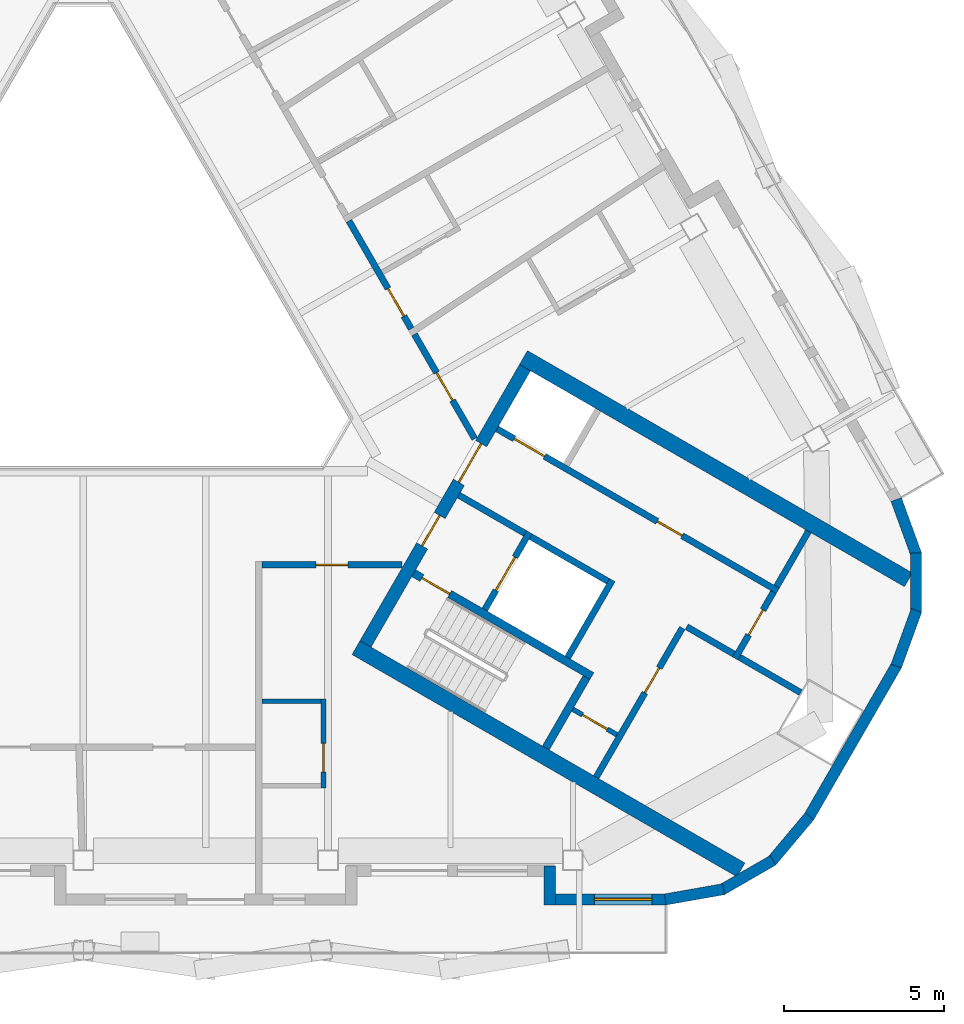
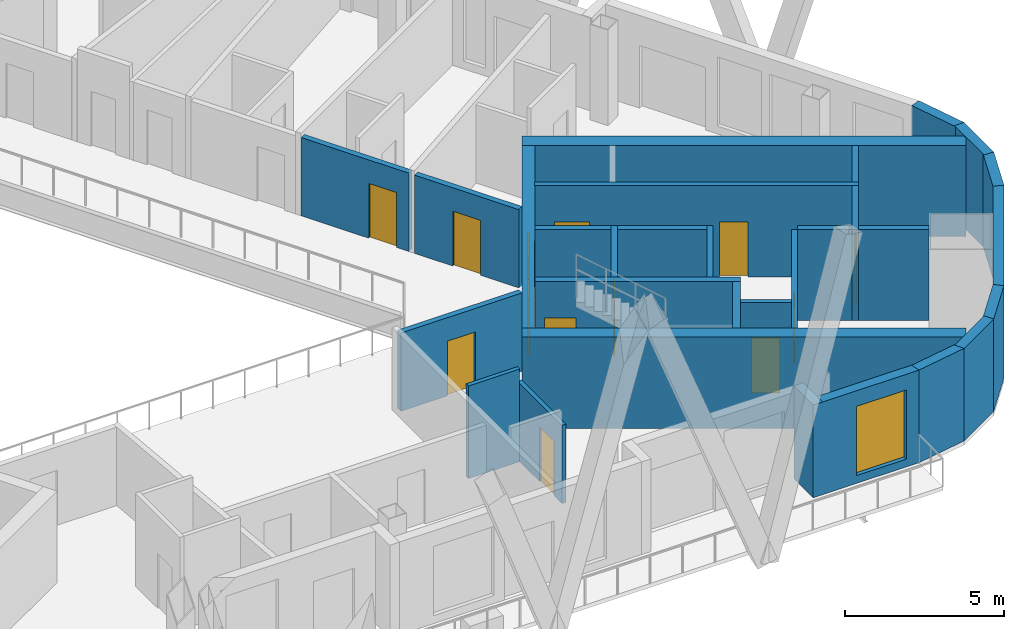
# One storey, part 5 of 14: 30 walls, 13 doors, 1 window, 14 openings.
"""IFC4 building model written with IfcOpenShell, lengths in metres."""

from ifc_helpers import new_model, si_unit, direction, frame, frame_2d, origin, place, context, subcontext, project, spatial, rectangle, extrude, material, layer, layer_set, type_object, element, fill, save


model = new_model("IFC4")

# Units and contexts
model_context = context("Model", 3, precision=1e-05, world=origin(), true_north=direction((0.0, 1.0)))
body_context = subcontext(model_context, "Body", "Model", "MODEL_VIEW")
ifc_project = project(units=[si_unit("LENGTHUNIT", "METRE"), si_unit("AREAUNIT", "SQUARE_METRE"), si_unit("VOLUMEUNIT", "CUBIC_METRE"), si_unit("PLANEANGLEUNIT", "RADIAN"), si_unit("MASSUNIT", "GRAM", prefix="KILO")], contexts=[model_context])

# Site, building, storey
site_placement = place(None, origin())
site = spatial("IfcSite", under=ifc_project, at=site_placement, CompositionType="ELEMENT")
building_placement = place(site_placement, origin())
building = spatial("IfcBuilding", under=site, at=building_placement, Name="Apuvela Tower Hotel", CompositionType="ELEMENT")
storey_placement = place(building_placement, frame((0.0, 0.0, 257.800048828125)))
storey = spatial("IfcBuildingStorey", under=building, at=storey_placement, Name="L63", CompositionType="ELEMENT", Elevation=257.800048828125)

# Wall, openings, doors
ifc_material_1 = material(Name="Concrete C50/60", Category="concrete")
ifc_layer_1 = layer(ifc_material_1, 0.39990234375)
ifc_layer_set_1 = layer_set([ifc_layer_1], Name="COR-WALL-CORE-400")
wall_type_1 = type_object("IfcWallType", Name="COR-WALL-CORE-400", PredefinedType="SHEAR", material=ifc_layer_set_1)
wall_1_placement = place(storey_placement, frame((8.844970703125, -10.880126953125, 0.0), z_axis=(0.0, 0.0, 1.0), x_axis=(0.500004234368, 0.866022959057, 0.0)))
wall_1 = element("IfcWall", 1, at=wall_1_placement, inside=storey, type_object=wall_type_1, Name="Core wall SE", PredefinedType="SHEAR", context=body_context, shape_type="SweptSolid", body=[
    extrude(rectangle(XDim=10.0, YDim=0.39990234375, at=frame_2d((5.0, 0.0))), origin(), (0.0, 0.0, 1.0), 3.5),
])
opening_1_placement = place(wall_1_placement, frame((3.550048828125, 0.0, 0.0)))
opening_1 = element("IfcOpeningElement", 2, at=opening_1_placement, cuts=wall_1, Name="Opening E-FD", PredefinedType="OPENING", context=body_context, shape_type="SweptSolid", body=[
    extrude(rectangle(XDim=1.10009765625, YDim=2.10009765625, at=frame_2d((0.550048828125, 1.050048828125))), frame((0.0, 0.2099609375, 0.0), z_axis=(0.0, -1.0, 0.0), x_axis=(1.0, 0.0, 0.0)), (0.0, 0.0, 1.0), 0.419921875),
])
opening_2_placement = place(wall_1_placement, frame((5.85009765625, 0.0, 0.0)))
opening_2 = element("IfcOpeningElement", 3, at=opening_2_placement, cuts=wall_1, Name="Opening E-GD", PredefinedType="OPENING", context=body_context, shape_type="SweptSolid", body=[
    extrude(rectangle(XDim=1.39990234375, YDim=2.10009765625, at=frame_2d((0.699951171875, 1.050048828125))), frame((0.0, 0.2099609375, 0.0), z_axis=(0.0, -1.0, 0.0), x_axis=(1.0, 0.0, 0.0)), (0.0, 0.0, 1.0), 0.419921875),
])
ifc_material_2 = material(Name="Steel fire door, powder coated", Category="steel")
door_type_1 = type_object("IfcDoorType", Name="COR-FD-1100", OperationType="NOTDEFINED", PredefinedType="DOOR", material=ifc_material_2)
door_1_placement = place(opening_1_placement, frame((1.10009765625, 0.0, 0.0), z_axis=(0.0, 0.0, 1.0), x_axis=(-1.0, 0.0, 0.0)))
door_1 = element("IfcDoor", 4, at=door_1_placement, inside=storey, type_object=door_type_1, Name="Firefighting lobby door E-FD", OperationType="SINGLE_SWING_LEFT", OverallHeight=2.10009765625, OverallWidth=1.10009765625, PredefinedType="DOOR", context=body_context, shape_type="SweptSolid", body=[
    extrude(rectangle(XDim=1.10009765625, YDim=2.10009765625, at=frame_2d((0.550048828125, 1.050048828125))), frame((0.0, 0.02490234375, 0.0), z_axis=(0.0, -1.0, 0.0), x_axis=(1.0, 0.0, 0.0)), (0.0, 0.0, 1.0), 0.050048828125),
])
fill(opening_1, door_1)
ifc_material_3 = material(Name="Glazed steel fire door", Category="steel")
door_type_2 = type_object("IfcDoorType", Name="COR-GD-1400", OperationType="DOUBLE_DOOR_SINGLE_SWING", PredefinedType="DOOR", material=ifc_material_3)
door_2_placement = place(opening_2_placement, frame((1.39990234375, 0.0, 0.0), z_axis=(0.0, 0.0, 1.0), x_axis=(-1.0, 0.0, 0.0)))
door_2 = element("IfcDoor", 5, at=door_2_placement, inside=storey, type_object=door_type_2, Name="Lift lobby door E-GD", OperationType="DOUBLE_DOOR_SINGLE_SWING", OverallHeight=2.10009765625, OverallWidth=1.39990234375, PredefinedType="DOOR", context=body_context, shape_type="SweptSolid", body=[
    extrude(rectangle(XDim=1.39990234375, YDim=2.10009765625, at=frame_2d((0.699951171875, 1.050048828125))), frame((0.0, 0.02490234375, 0.0), z_axis=(0.0, -1.0, 0.0), x_axis=(1.0, 0.0, 0.0)), (0.0, 0.0, 1.0), 0.050048828125),
])
fill(opening_2, door_2)

# Walls
ifc_layer_2 = layer(ifc_material_1, 0.5)
ifc_layer_set_2 = layer_set([ifc_layer_2], Name="COR-WALL-CORE-500")
wall_type_2 = type_object("IfcWallType", Name="COR-WALL-CORE-500", PredefinedType="SHEAR", material=ifc_layer_set_2)
for number, where, z_axis, x_axis, name in (
    (6, (8.546630859375, -10.99658203125, 0.0), (0.0, 0.0, 1.0), (0.86602744543, -0.49999646375, 0.0), "Core wall SE"),
    (7, (13.796630859375, -1.9033203125, 0.0), (0.0, 0.0, 1.0), (0.86602744543, -0.49999646375, 0.0), "Core wall SE"),
):
    element("IfcWall", number, at=place(storey_placement, frame(where, z_axis=z_axis, x_axis=x_axis)), inside=storey, type_object=wall_type_2, Name=name, PredefinedType="SHEAR", context=body_context, shape_type="SweptSolid", body=[
        extrude(rectangle(XDim=13.93408203125, YDim=0.5, at=frame_2d((6.967041015625, 0.0))), origin(), (0.0, 0.0, 1.0), 3.5),
    ])

# Wall, opening, door
ifc_material_4 = material(Name="Blockwork 150 mm plastered", Category="masonry")
ifc_layer_3 = layer(ifc_material_4, 0.14990234375)
ifc_layer_set_3 = layer_set([ifc_layer_3], Name="COR-WALL-PART-150")
wall_type_3 = type_object("IfcWallType", Name="COR-WALL-PART-150", PredefinedType="PARTITIONING", material=ifc_layer_set_3)
wall_2_placement = place(storey_placement, frame((15.341552734375, -12.927734375, 0.0), z_axis=(0.0, 0.0, 1.0), x_axis=(0.865989903783, -0.500061482766, 0.0)))
wall_2 = element("IfcWall", 8, at=wall_2_placement, inside=storey, type_object=wall_type_3, Name="Partition SE", PredefinedType="PARTITIONING", context=body_context, shape_type="SweptSolid", body=[
    extrude(rectangle(XDim=1.599853515625, YDim=0.14990234375, at=frame_2d((0.7998046875, 0.0))), origin(), (0.0, 0.0, 1.0), 3.5),
])
opening_3_placement = place(wall_2_placement, frame((0.35009765625, 0.0, 0.0)))
opening_3 = element("IfcOpeningElement", 9, at=opening_3_placement, cuts=wall_2, Name="Opening E-RD", PredefinedType="OPENING", context=body_context, shape_type="SweptSolid", body=[
    extrude(rectangle(XDim=0.89990234375, YDim=2.10009765625, at=frame_2d((0.449951171875, 1.050048828125))), frame((0.0, 0.0849609375, 0.0), z_axis=(0.0, -1.0, 0.0), x_axis=(1.0, 0.0, 0.0)), (0.0, 0.0, 1.0), 0.169921875),
])
ifc_material_5 = material(Name="Steel access door, powder coated", Category="steel")
door_type_3 = type_object("IfcDoorType", Name="COR-RD-900", OperationType="NOTDEFINED", PredefinedType="DOOR", material=ifc_material_5)
door_3_placement = place(opening_3_placement, frame((0.89990234375, 0.0, 0.0), z_axis=(0.0, 0.0, 1.0), x_axis=(-1.0, 0.0, 0.0)))
door_3 = element("IfcDoor", 10, at=door_3_placement, inside=storey, type_object=door_type_3, Name="Riser door E-RD", OperationType="SINGLE_SWING_LEFT", OverallHeight=2.10009765625, OverallWidth=0.89990234375, PredefinedType="DOOR", context=body_context, shape_type="SweptSolid", body=[
    extrude(rectangle(XDim=0.89990234375, YDim=2.10009765625, at=frame_2d((0.449951171875, 1.050048828125))), frame((0.0, 0.02490234375, 0.0), z_axis=(0.0, -1.0, 0.0), x_axis=(1.0, 0.0, 0.0)), (0.0, 0.0, 1.0), 0.050048828125),
])
fill(opening_3, door_3)

ifc_material_6 = material(Name="Blockwork 200 mm plastered", Category="masonry")
ifc_layer_4 = layer(ifc_material_6, 0.199951171875)
ifc_layer_set_4 = layer_set([ifc_layer_4], Name="COR-WALL-PART-200")
wall_type_4 = type_object("IfcWallType", Name="COR-WALL-PART-200", PredefinedType="PARTITIONING", material=ifc_layer_set_4)
wall_3_placement = place(storey_placement, frame((16.076171875, -15.05517578125, 0.0), z_axis=(0.0, 0.0, 1.0), x_axis=(0.499995103361, 0.866028230842, 0.0)))
wall_3 = element("IfcWall", 11, at=wall_3_placement, inside=storey, type_object=wall_type_4, Name="Partition SE", PredefinedType="PARTITIONING", context=body_context, shape_type="SweptSolid", body=[
    extrude(rectangle(XDim=5.39990234375, YDim=0.199951171875, at=frame_2d((2.699951171875, 0.0))), origin(), (0.0, 0.0, 1.0), 3.5),
])
opening_4_placement = place(wall_3_placement, frame((3.050048828125, 0.0, 0.0)))
opening_4 = element("IfcOpeningElement", 12, at=opening_4_placement, cuts=wall_3, Name="Opening E-RS1", PredefinedType="OPENING", context=body_context, shape_type="SweptSolid", body=[
    extrude(rectangle(XDim=0.89990234375, YDim=2.10009765625, at=frame_2d((0.449951171875, 1.050048828125))), frame((0.0, 0.10986328125, 0.0), z_axis=(0.0, -1.0, 0.0), x_axis=(1.0, 0.0, 0.0)), (0.0, 0.0, 1.0), 0.219970703125),
])
door_type_4 = type_object("IfcDoorType", Name="COR-DR-900", OperationType="NOTDEFINED", PredefinedType="DOOR", material=ifc_material_2)
door_4_placement = place(opening_4_placement, frame((0.89990234375, 0.0, 0.0), z_axis=(0.0, 0.0, 1.0), x_axis=(-1.0, 0.0, 0.0)))
door_4 = element("IfcDoor", 13, at=door_4_placement, inside=storey, type_object=door_type_4, Name="Store door E-RS1", OperationType="SINGLE_SWING_LEFT", OverallHeight=2.10009765625, OverallWidth=0.89990234375, PredefinedType="DOOR", context=body_context, shape_type="SweptSolid", body=[
    extrude(rectangle(XDim=0.89990234375, YDim=2.10009765625, at=frame_2d((0.449951171875, 1.050048828125))), frame((0.0, 0.02490234375, 0.0), z_axis=(0.0, -1.0, 0.0), x_axis=(1.0, 0.0, 0.0)), (0.0, 0.0, 1.0), 0.050048828125),
])
fill(opening_4, door_4)

# Wall
ifc_layer_5 = layer(ifc_material_1, 0.199951171875)
ifc_layer_set_5 = layer_set([ifc_layer_5], Name="COR-WALL-SHAFT-200")
wall_type_5 = type_object("IfcWallType", Name="COR-WALL-SHAFT-200", PredefinedType="SHEAR", material=ifc_layer_set_5)
wall_4_placement = place(storey_placement, frame((15.181396484375, -11.305419921875, 0.0), z_axis=(0.0, 0.0, 1.0), x_axis=(0.49994636267, 0.866056369097, 0.0)))
element("IfcWall", 14, at=wall_4_placement, inside=storey, type_object=wall_type_5, Name="Shaft wall SE", PredefinedType="SHEAR", context=body_context, shape_type="SweptSolid", body=[
    extrude(rectangle(XDim=2.800048828125, YDim=0.199951171875, at=frame_2d((1.39990234375, 0.0))), origin(), (0.0, 0.0, 1.0), 3.5),
])

# Wall, opening, door
wall_5_placement = place(storey_placement, frame((12.583251953125, -9.805419921875, 0.0), z_axis=(0.0, 0.0, 1.0), x_axis=(0.49994636267, 0.866056369097, 0.0)))
wall_5 = element("IfcWall", 15, at=wall_5_placement, inside=storey, type_object=wall_type_5, Name="Shaft wall SE", PredefinedType="SHEAR", context=body_context, shape_type="SweptSolid", body=[
    extrude(rectangle(XDim=2.800048828125, YDim=0.199951171875, at=frame_2d((1.39990234375, 0.0))), origin(), (0.0, 0.0, 1.0), 3.5),
])
opening_5_placement = place(wall_5_placement, frame((0.699951171875, 0.0, 0.0)))
opening_5 = element("IfcOpeningElement", 16, at=opening_5_placement, cuts=wall_5, Name="Opening E-LD-FS3", PredefinedType="OPENING", context=body_context, shape_type="SweptSolid", body=[
    extrude(rectangle(XDim=1.199951171875, YDim=2.10009765625, at=frame_2d((0.60009765625, 1.050048828125))), frame((0.0, 0.10986328125, 0.0), z_axis=(0.0, -1.0, 0.0), x_axis=(1.0, 0.0, 0.0)), (0.0, 0.0, 1.0), 0.219970703125),
])
ifc_material_7 = material(Name="Stainless steel lift landing door", Category="steel")
door_type_5 = type_object("IfcDoorType", Name="COR-LD-1200", OperationType="DOUBLE_DOOR_SLIDING", PredefinedType="DOOR", material=ifc_material_7)
door_5_placement = place(opening_5_placement, origin())
door_5 = element("IfcDoor", 17, at=door_5_placement, inside=storey, type_object=door_type_5, Name="Lift landing door E-LD-FS3", OperationType="DOUBLE_DOOR_SLIDING", OverallHeight=2.10009765625, OverallWidth=1.199951171875, PredefinedType="DOOR", context=body_context, shape_type="SweptSolid", body=[
    extrude(rectangle(XDim=1.199951171875, YDim=2.10009765625, at=frame_2d((0.60009765625, 1.050048828125))), frame((0.0, 0.02490234375, 0.0), z_axis=(0.0, -1.0, 0.0), x_axis=(1.0, 0.0, 0.0)), (0.0, 0.0, 1.0), 0.050048828125),
])
fill(opening_5, door_5)

# Walls
wall_6_placement = place(storey_placement, frame((11.76806640625, -6.217041015625, 0.0), z_axis=(0.0, 0.0, 1.0), x_axis=(0.866050077142, -0.499957262057, 0.0)))
element("IfcWall", 18, at=wall_6_placement, inside=storey, type_object=wall_type_5, Name="Shaft wall SE", PredefinedType="SHEAR", context=body_context, shape_type="SweptSolid", body=[
    extrude(rectangle(XDim=2.400146484375, YDim=0.199951171875, at=frame_2d((1.2001953125, 0.0))), origin(), (0.0, 0.0, 1.0), 3.5),
])
wall_7_placement = place(storey_placement, frame((14.019775390625, -7.51708984375, 0.0), z_axis=(0.0, 0.0, 1.0), x_axis=(0.866034573852, -0.49998411664, 0.0)))
element("IfcWall", 19, at=wall_7_placement, inside=storey, type_object=wall_type_5, Name="Shaft wall SE", PredefinedType="SHEAR", context=body_context, shape_type="SweptSolid", body=[
    extrude(rectangle(XDim=2.7998046875, YDim=0.199951171875, at=frame_2d((1.39990234375, 0.0))), origin(), (0.0, 0.0, 1.0), 3.5),
])

# Wall, openings, doors
wall_8_placement = place(storey_placement, frame((12.968017578125, -4.138427734375, 0.0), z_axis=(0.0, 0.0, 1.0), x_axis=(0.866028328073, -0.49999493495, 0.0)))
wall_8 = element("IfcWall", 20, at=wall_8_placement, inside=storey, type_object=wall_type_5, Name="Shaft wall SE", PredefinedType="SHEAR", context=body_context, shape_type="SweptSolid", body=[
    extrude(rectangle(XDim=10.16015625, YDim=0.199951171875, at=frame_2d((5.080078125, 0.0))), origin(), (0.0, 0.0, 1.0), 3.5),
])
opening_6_placement = place(wall_8_placement, frame((0.6201171875, 0.0, 0.0)))
opening_6 = element("IfcOpeningElement", 21, at=opening_6_placement, cuts=wall_8, Name="Opening E-LD-HR3", PredefinedType="OPENING", context=body_context, shape_type="SweptSolid", body=[
    extrude(rectangle(XDim=1.10009765625, YDim=2.10009765625, at=frame_2d((0.550048828125, 1.050048828125))), frame((0.0, 0.10986328125, 0.0), z_axis=(0.0, -1.0, 0.0), x_axis=(1.0, 0.0, 0.0)), (0.0, 0.0, 1.0), 0.219970703125),
])
opening_7_placement = place(wall_8_placement, frame((5.800048828125, 0.0, 0.0)))
opening_7 = element("IfcOpeningElement", 22, at=opening_7_placement, cuts=wall_8, Name="Opening E-RE2", PredefinedType="OPENING", context=body_context, shape_type="SweptSolid", body=[
    extrude(rectangle(XDim=0.89990234375, YDim=2.10009765625, at=frame_2d((0.449951171875, 1.050048828125))), frame((0.0, 0.10986328125, 0.0), z_axis=(0.0, -1.0, 0.0), x_axis=(1.0, 0.0, 0.0)), (0.0, 0.0, 1.0), 0.219970703125),
])
door_6_placement = place(opening_7_placement, origin())
door_6 = element("IfcDoor", 23, at=door_6_placement, inside=storey, type_object=door_type_4, Name="Store door E-RE2", OperationType="SINGLE_SWING_LEFT", OverallHeight=2.10009765625, OverallWidth=0.89990234375, PredefinedType="DOOR", context=body_context, shape_type="SweptSolid", body=[
    extrude(rectangle(XDim=0.89990234375, YDim=2.10009765625, at=frame_2d((0.449951171875, 1.050048828125))), frame((0.0, 0.02490234375, 0.0), z_axis=(0.0, -1.0, 0.0), x_axis=(1.0, 0.0, 0.0)), (0.0, 0.0, 1.0), 0.050048828125),
])
fill(opening_7, door_6)
door_type_6 = type_object("IfcDoorType", Name="COR-LD-1100", OperationType="DOUBLE_DOOR_SLIDING", PredefinedType="DOOR", material=ifc_material_7)
door_7_placement = place(opening_6_placement, origin())
door_7 = element("IfcDoor", 24, at=door_7_placement, inside=storey, type_object=door_type_6, Name="Lift landing door E-LD-HR3", OperationType="DOUBLE_DOOR_SLIDING", OverallHeight=2.10009765625, OverallWidth=1.10009765625, PredefinedType="DOOR", context=body_context, shape_type="SweptSolid", body=[
    extrude(rectangle(XDim=1.10009765625, YDim=2.10009765625, at=frame_2d((0.550048828125, 1.050048828125))), frame((0.0, 0.02490234375, 0.0), z_axis=(0.0, -1.0, 0.0), x_axis=(1.0, 0.0, 0.0)), (0.0, 0.0, 1.0), 0.050048828125),
])
fill(opening_6, door_7)

# Wall, opening, door
wall_9_placement = place(storey_placement, frame((20.430419921875, -11.33349609375, 0.0), z_axis=(0.0, 0.0, 1.0), x_axis=(0.500001309137, 0.866024647952, 0.0)))
wall_9 = element("IfcWall", 25, at=wall_9_placement, inside=storey, type_object=wall_type_5, Name="Shaft wall SE", PredefinedType="SHEAR", context=body_context, shape_type="SweptSolid", body=[
    extrude(rectangle(XDim=2.39990234375, YDim=0.199951171875, at=frame_2d((1.199951171875, 0.0))), origin(), (0.0, 0.0, 1.0), 3.5),
])
opening_8_placement = place(wall_9_placement, frame((0.85009765625, 0.0, 0.0)))
opening_8 = element("IfcOpeningElement", 26, at=opening_8_placement, cuts=wall_9, Name="Opening E-REP", PredefinedType="OPENING", context=body_context, shape_type="SweptSolid", body=[
    extrude(rectangle(XDim=0.89990234375, YDim=2.10009765625, at=frame_2d((0.449951171875, 1.050048828125))), frame((0.0, 0.10986328125, 0.0), z_axis=(0.0, -1.0, 0.0), x_axis=(1.0, 0.0, 0.0)), (0.0, 0.0, 1.0), 0.219970703125),
])
door_8_placement = place(opening_8_placement, frame((0.89990234375, 0.0, 0.0), z_axis=(0.0, 0.0, 1.0), x_axis=(-1.0, 0.0, 0.0)))
door_8 = element("IfcDoor", 27, at=door_8_placement, inside=storey, type_object=door_type_4, Name="Store door E-REP", OperationType="SINGLE_SWING_RIGHT", OverallHeight=2.10009765625, OverallWidth=0.89990234375, PredefinedType="DOOR", context=body_context, shape_type="SweptSolid", body=[
    extrude(rectangle(XDim=0.89990234375, YDim=2.10009765625, at=frame_2d((0.449951171875, 1.050048828125))), frame((0.0, 0.02490234375, 0.0), z_axis=(0.0, -1.0, 0.0), x_axis=(1.0, 0.0, 0.0)), (0.0, 0.0, 1.0), 0.050048828125),
])
fill(opening_8, door_8)

# Walls
wall_10_placement = place(storey_placement, frame((18.912841796875, -10.342041015625, 0.0), z_axis=(0.0, 0.0, 1.0), x_axis=(0.866038183914, -0.499977863513, 0.0)))
element("IfcWall", 28, at=wall_10_placement, inside=storey, type_object=wall_type_5, Name="Shaft wall SE", PredefinedType="SHEAR", context=body_context, shape_type="SweptSolid", body=[
    extrude(rectangle(XDim=1.7099609375, YDim=0.199951171875, at=frame_2d((0.85498046875, 0.0))), origin(), (0.0, 0.0, 1.0), 3.5),
])
wall_11_placement = place(storey_placement, frame((21.73046875, -9.081787109375, 0.0), z_axis=(0.0, 0.0, 1.0), x_axis=(0.50002537861, 0.866010750942, 0.0)))
element("IfcWall", 29, at=wall_11_placement, inside=storey, type_object=wall_type_5, Name="Shaft wall SE", PredefinedType="SHEAR", context=body_context, shape_type="SweptSolid", body=[
    extrude(rectangle(XDim=2.0, YDim=0.199951171875, at=frame_2d((1.0, 0.0))), origin(), (0.0, 0.0, 1.0), 3.5),
])
wall_12_placement = place(storey_placement, frame((20.56689453125, -11.297119140625, 0.0), z_axis=(0.0, 0.0, 1.0), x_axis=(0.866079196458, -0.49990681678, 0.0)))
element("IfcWall", 30, at=wall_12_placement, inside=storey, type_object=wall_type_5, Name="Shaft wall SE", PredefinedType="SHEAR", context=body_context, shape_type="SweptSolid", body=[
    extrude(rectangle(XDim=2.21630859375, YDim=0.199951171875, at=frame_2d((1.108154296875, 0.0))), origin(), (0.0, 0.0, 1.0), 3.5),
])

# Wall, opening, door
ifc_layer_6 = layer(ifc_material_1, 0.25)
ifc_layer_set_6 = layer_set([ifc_layer_6], Name="COR-WALL-STAIR-250")
wall_type_6 = type_object("IfcWallType", Name="COR-WALL-STAIR-250", PredefinedType="SHEAR", material=ifc_layer_set_6)
wall_13_placement = place(storey_placement, frame((10.355712890625, -8.66357421875, 0.0), z_axis=(0.0, 0.0, 1.0), x_axis=(0.866028629588, -0.499994412703, 0.0)))
wall_13 = element("IfcWall", 31, at=wall_13_placement, inside=storey, type_object=wall_type_6, Name="Stair wall SE", PredefinedType="SHEAR", context=body_context, shape_type="SweptSolid", body=[
    extrude(rectangle(XDim=6.44970703125, YDim=0.25, at=frame_2d((3.224853515625, 0.0))), origin(), (0.0, 0.0, 1.0), 3.5),
])
opening_9_placement = place(wall_13_placement, frame((0.300048828125, 0.0, 0.0)))
opening_9 = element("IfcOpeningElement", 32, at=opening_9_placement, cuts=wall_13, Name="Opening E-SD", PredefinedType="OPENING", context=body_context, shape_type="SweptSolid", body=[
    extrude(rectangle(XDim=1.0, YDim=2.10009765625, at=frame_2d((0.5, 1.050048828125))), frame((0.0, 0.135009765625, 0.0), z_axis=(0.0, -1.0, 0.0), x_axis=(1.0, 0.0, 0.0)), (0.0, 0.0, 1.0), 0.27001953125),
])
door_type_7 = type_object("IfcDoorType", Name="COR-SD-1000", OperationType="NOTDEFINED", PredefinedType="DOOR", material=ifc_material_2)
door_9_placement = place(opening_9_placement, frame((1.0, 0.0, 0.0), z_axis=(0.0, 0.0, 1.0), x_axis=(-1.0, 0.0, 0.0)))
door_9 = element("IfcDoor", 33, at=door_9_placement, inside=storey, type_object=door_type_7, Name="Stair door E-SD", OperationType="SINGLE_SWING_LEFT", OverallHeight=2.10009765625, OverallWidth=1.0, PredefinedType="DOOR", context=body_context, shape_type="SweptSolid", body=[
    extrude(rectangle(XDim=1.0, YDim=2.10009765625, at=frame_2d((0.5, 1.050048828125))), frame((0.0, 0.02490234375, 0.0), z_axis=(0.0, -1.0, 0.0), x_axis=(1.0, 0.0, 0.0)), (0.0, 0.0, 1.0), 0.050048828125),
])
fill(opening_9, door_9)

# Walls
wall_14_placement = place(storey_placement, frame((14.49560546875, -14.142578125, 0.0), z_axis=(0.0, 0.0, 1.0), x_axis=(0.500062241894, 0.865989465428, 0.0)))
element("IfcWall", 34, at=wall_14_placement, inside=storey, type_object=wall_type_6, Name="Stair wall SE", PredefinedType="SHEAR", context=body_context, shape_type="SweptSolid", body=[
    extrude(rectangle(XDim=2.550048828125, YDim=0.25, at=frame_2d((1.27490234375, 0.0))), origin(), (0.0, 0.0, 1.0), 3.5),
])
ifc_material_8 = material(Name="Concrete C40/50, dark pigmented precast panel", Category="concrete")
ifc_layer_7 = layer(ifc_material_8, 0.35009765625)
ifc_layer_set_7 = layer_set([ifc_layer_7], Name="ENV-WALL-350")
wall_type_7 = type_object("IfcWallType", Name="ENV-WALL-350", PredefinedType="SOLIDWALL", material=ifc_layer_set_7)
wall_15_placement = place(storey_placement, frame((14.618408203125, -17.843017578125, 0.0), z_axis=(0.0, 0.0, 1.0), x_axis=(0.0, -1.0, 0.0)))
element("IfcWall", 35, at=wall_15_placement, inside=storey, type_object=wall_type_7, Name="External wall L63-24", PredefinedType="SOLIDWALL", context=body_context, shape_type="SweptSolid", body=[
    extrude(rectangle(XDim=1.219970703125, YDim=0.35009765625, at=frame_2d((0.60986328125, 0.0))), origin(), (0.0, 0.0, 1.0), 3.550048828125),
])

# Wall, opening, window
wall_16_placement = place(storey_placement, frame((14.443603515625, -18.887939453125, 0.0), z_axis=(0.0, 0.0, 1.0), x_axis=(1.0, 0.0, 0.0)))
wall_16 = element("IfcWall", 36, at=wall_16_placement, inside=storey, type_object=wall_type_7, Name="External wall L63-25", PredefinedType="SOLIDWALL", context=body_context, shape_type="SweptSolid", body=[
    extrude(rectangle(XDim=3.82861328125, YDim=0.35009765625, at=frame_2d((1.914306640625, 0.0))), origin(), (0.0, 0.0, 1.0), 3.550048828125),
])
opening_10_placement = place(wall_16_placement, frame((1.575439453125, 0.0, 0.300048828125)))
opening_10 = element("IfcOpeningElement", 37, at=opening_10_placement, cuts=wall_16, Name="Opening WN18", PredefinedType="OPENING", context=body_context, shape_type="SweptSolid", body=[
    extrude(rectangle(XDim=1.800048828125, YDim=2.64990234375, at=frame_2d((0.89990234375, 1.324951171875))), frame((0.0, 0.18505859375, 0.0), z_axis=(0.0, -1.0, 0.0), x_axis=(1.0, 0.0, 0.0)), (0.0, 0.0, 1.0), 0.3701171875),
])
ifc_material_9 = material(Name="Glass, dark tinted laminated insulated glazing unit", Category="glass")
window_type = type_object("IfcWindowType", Name="ENV-WIN-1800x2650", PartitioningType="SINGLE_PANEL", PredefinedType="WINDOW", material=ifc_material_9)
window_placement = place(opening_10_placement, origin())
window = element("IfcWindow", 38, at=window_placement, inside=storey, type_object=window_type, Name="Window WN18", OverallHeight=2.64990234375, OverallWidth=1.800048828125, PartitioningType="SINGLE_PANEL", PredefinedType="WINDOW", context=body_context, shape_type="SweptSolid", body=[
    extrude(rectangle(XDim=1.800048828125, YDim=2.64990234375, at=frame_2d((0.89990234375, 1.324951171875))), frame((0.0, 0.030029296875, 0.0), z_axis=(0.0, -1.0, 0.0), x_axis=(1.0, 0.0, 0.0)), (0.0, 0.0, 1.0), 0.06005859375),
])
fill(opening_10, window)

# Walls
wall_17_placement = place(storey_placement, frame((18.241943359375, -18.890625, 0.0), z_axis=(0.0, 0.0, 1.0), x_axis=(0.984791508075, 0.173740282098, 0.0)))
element("IfcWall", 39, at=wall_17_placement, inside=storey, type_object=wall_type_7, Name="External wall L63-26", PredefinedType="SOLIDWALL", context=body_context, shape_type="SweptSolid", body=[
    extrude(rectangle(XDim=1.85498046875, YDim=0.35009765625, at=frame_2d((0.927490234375, 0.0))), origin(), (0.0, 0.0, 1.0), 3.550048828125),
])
for number, where, z_axis, x_axis, name in (
    (40, (20.011474609375, -18.589111328125, 0.0), (0.0, 0.0, 1.0), (0.866080385203, 0.499904757295, 0.0), "External wall L63-27"),
    (41, (21.571533203125, -17.70068359375, 0.0), (0.0, 0.0, 1.0), (0.642744363867, 0.76608072859, 0.0), "External wall L63-28"),
):
    element("IfcWall", number, at=place(storey_placement, frame(where, z_axis=z_axis, x_axis=x_axis)), inside=storey, type_object=wall_type_7, Name=name, PredefinedType="SOLIDWALL", context=body_context, shape_type="SweptSolid", body=[
        extrude(rectangle(XDim=1.854736328125, YDim=0.35009765625, at=frame_2d((0.92724609375, 0.0))), origin(), (0.0, 0.0, 1.0), 3.550048828125),
    ])
wall_18_placement = place(storey_placement, frame((22.74609375, -16.304931640625, 0.0), z_axis=(0.0, 0.0, 1.0), x_axis=(0.500028854569, 0.86600874395, 0.0)))
element("IfcWall", 42, at=wall_18_placement, inside=storey, type_object=wall_type_7, Name="External wall L63-29", PredefinedType="SOLIDWALL", context=body_context, shape_type="SweptSolid", body=[
    extrude(rectangle(XDim=5.494873046875, YDim=0.35009765625, at=frame_2d((2.74755859375, 0.0))), origin(), (0.0, 0.0, 1.0), 3.550048828125),
])
wall_19_placement = place(storey_placement, frame((25.480712890625, -11.57421875, 0.0), z_axis=(0.0, 0.0, 1.0), x_axis=(0.341890986265, 0.93973962006, 0.0)))
element("IfcWall", 43, at=wall_19_placement, inside=storey, type_object=wall_type_7, Name="External wall L63-30", PredefinedType="SOLIDWALL", context=body_context, shape_type="SweptSolid", body=[
    extrude(rectangle(XDim=1.855224609375, YDim=0.35009765625, at=frame_2d((0.927734375, 0.0))), origin(), (0.0, 0.0, 1.0), 3.550048828125),
])
for number, where, z_axis, x_axis, name in (
    (44, (26.1044921875, -9.890869140625, 0.0), (0.0, 0.0, 1.0), (0.0, 1.0, 0.0), "External wall L63-31"),
    (45, (26.114990234375, -8.095703125, 0.0), (0.0, 0.0, 1.0), (-0.341933271996, 0.939724234817, 0.0), "External wall L63-32"),
):
    element("IfcWall", number, at=place(storey_placement, frame(where, z_axis=z_axis, x_axis=x_axis)), inside=storey, type_object=wall_type_7, Name=name, PredefinedType="SOLIDWALL", context=body_context, shape_type="SweptSolid", body=[
        extrude(rectangle(XDim=1.85498046875, YDim=0.35009765625, at=frame_2d((0.927490234375, 0.0))), origin(), (0.0, 0.0, 1.0), 3.550048828125),
    ])

# Wall, opening, door
ifc_material_10 = material(Name="Gypsum board corridor wall on twin steel stud, acoustic", Category="steel")
ifc_layer_8 = layer(ifc_material_10, 0.199951171875)
ifc_layer_set_8 = layer_set([ifc_layer_8], Name="GST-PW2")
wall_type_8 = type_object("IfcWallType", Name="GST-PW2", PredefinedType="PARTITIONING", material=ifc_layer_set_8)
wall_20_placement = place(storey_placement, frame((9.98828125, -8.39990234375, 0.0), z_axis=(0.0, 0.0, 1.0), x_axis=(-1.0, 0.0, 0.0)))
wall_20 = element("IfcWall", 46, at=wall_20_placement, inside=storey, type_object=wall_type_8, Name="L63 partition 17", PredefinedType="PARTITIONING", context=body_context, shape_type="SweptSolid", body=[
    extrude(rectangle(XDim=4.38818359375, YDim=0.199951171875, at=frame_2d((2.194091796875, 0.0))), origin(), (0.0, 0.0, 1.0), 3.0),
])
opening_11_placement = place(wall_20_placement, frame((1.694091796875, 0.0, 0.0)))
opening_11 = element("IfcOpeningElement", 47, at=opening_11_placement, cuts=wall_20, Name="Opening GD25-06", PredefinedType="OPENING", context=body_context, shape_type="SweptSolid", body=[
    extrude(rectangle(XDim=1.0, YDim=2.10009765625, at=frame_2d((0.5, 1.050048828125))), frame((0.0, 0.10986328125, 0.0), z_axis=(0.0, -1.0, 0.0), x_axis=(1.0, 0.0, 0.0)), (0.0, 0.0, 1.0), 0.219970703125),
])
ifc_material_11 = material(Name="Timber door leaf in steel frame", Category="steel")
door_type_8 = type_object("IfcDoorType", Name="GST-D1", OperationType="NOTDEFINED", PredefinedType="DOOR", material=ifc_material_11)
door_10_placement = place(opening_11_placement, origin())
door_10 = element("IfcDoor", 48, at=door_10_placement, inside=storey, type_object=door_type_8, Name="Door L63-06", OperationType="SINGLE_SWING_RIGHT", OverallHeight=2.10009765625, OverallWidth=1.0, PredefinedType="DOOR", context=body_context, shape_type="SweptSolid", body=[
    extrude(rectangle(XDim=1.0, YDim=2.10009765625, at=frame_2d((0.5, 1.050048828125))), frame((0.0, 0.02490234375, 0.0), z_axis=(0.0, -1.0, 0.0), x_axis=(1.0, 0.0, 0.0)), (0.0, 0.0, 1.0), 0.050048828125),
])
fill(opening_11, door_10)

wall_21_placement = place(storey_placement, frame((10.377685546875, -1.1748046875, 0.0), z_axis=(0.0, 0.0, 1.0), x_axis=(0.50004096614, -0.86600175068, 0.0)))
wall_21 = element("IfcWall", 49, at=wall_21_placement, inside=storey, type_object=wall_type_8, Name="L63 partition 21", PredefinedType="PARTITIONING", context=body_context, shape_type="SweptSolid", body=[
    extrude(rectangle(XDim=3.781982421875, YDim=0.199951171875, at=frame_2d((1.89111328125, 0.0))), origin(), (0.0, 0.0, 1.0), 3.0),
])
opening_12_placement = place(wall_21_placement, frame((1.39111328125, 0.0, 0.0)))
opening_12 = element("IfcOpeningElement", 50, at=opening_12_placement, cuts=wall_21, Name="Opening GD25-08", PredefinedType="OPENING", context=body_context, shape_type="SweptSolid", body=[
    extrude(rectangle(XDim=1.0, YDim=2.10009765625, at=frame_2d((0.5, 1.050048828125))), frame((0.0, 0.10986328125, 0.0), z_axis=(0.0, -1.0, 0.0), x_axis=(1.0, 0.0, 0.0)), (0.0, 0.0, 1.0), 0.219970703125),
])
door_11_placement = place(opening_12_placement, origin())
door_11 = element("IfcDoor", 51, at=door_11_placement, inside=storey, type_object=door_type_8, Name="Door L63-08", OperationType="SINGLE_SWING_LEFT", OverallHeight=2.10009765625, OverallWidth=1.0, PredefinedType="DOOR", context=body_context, shape_type="SweptSolid", body=[
    extrude(rectangle(XDim=1.0, YDim=2.10009765625, at=frame_2d((0.5, 1.050048828125))), frame((0.0, 0.02490234375, 0.0), z_axis=(0.0, -1.0, 0.0), x_axis=(1.0, 0.0, 0.0)), (0.0, 0.0, 1.0), 0.050048828125),
])
fill(opening_12, door_11)

wall_22_placement = place(storey_placement, frame((8.32470703125, 2.38134765625, 0.0), z_axis=(0.0, 0.0, 1.0), x_axis=(0.499991187483, -0.866030491634, 0.0)))
wall_22 = element("IfcWall", 52, at=wall_22_placement, inside=storey, type_object=wall_type_8, Name="L63 partition 25", PredefinedType="PARTITIONING", context=body_context, shape_type="SweptSolid", body=[
    extrude(rectangle(XDim=3.90576171875, YDim=0.199951171875, at=frame_2d((1.952880859375, 0.0))), origin(), (0.0, 0.0, 1.0), 3.0),
])
opening_13_placement = place(wall_22_placement, frame((2.449951171875, 0.0, 0.0)))
opening_13 = element("IfcOpeningElement", 53, at=opening_13_placement, cuts=wall_22, Name="Opening GD25-10", PredefinedType="OPENING", context=body_context, shape_type="SweptSolid", body=[
    extrude(rectangle(XDim=1.0, YDim=2.10009765625, at=frame_2d((0.5, 1.050048828125))), frame((0.0, 0.10986328125, 0.0), z_axis=(0.0, -1.0, 0.0), x_axis=(1.0, 0.0, 0.0)), (0.0, 0.0, 1.0), 0.219970703125),
])
door_12_placement = place(opening_13_placement, origin())
door_12 = element("IfcDoor", 54, at=door_12_placement, inside=storey, type_object=door_type_8, Name="Door L63-10", OperationType="SINGLE_SWING_RIGHT", OverallHeight=2.10009765625, OverallWidth=1.0, PredefinedType="DOOR", context=body_context, shape_type="SweptSolid", body=[
    extrude(rectangle(XDim=1.0, YDim=2.10009765625, at=frame_2d((0.5, 1.050048828125))), frame((0.0, 0.02490234375, 0.0), z_axis=(0.0, -1.0, 0.0), x_axis=(1.0, 0.0, 0.0)), (0.0, 0.0, 1.0), 0.050048828125),
])
fill(opening_13, door_12)

ifc_material_12 = material(Name="Moisture-resistant gypsum board wet wall on steel stud", Category="steel")
ifc_layer_9 = layer(ifc_material_12, 0.14990234375)
ifc_layer_set_9 = layer_set([ifc_layer_9], Name="GST-PW3")
wall_type_9 = type_object("IfcWallType", Name="GST-PW3", PredefinedType="PARTITIONING", material=ifc_layer_set_9)
wall_23_placement = place(storey_placement, frame((7.52490234375, -15.39990234375, 0.0), z_axis=(0.0, 0.0, 1.0), x_axis=(0.0, 1.0, 0.0)))
wall_23 = element("IfcWall", 55, at=wall_23_placement, inside=storey, type_object=wall_type_9, Name="L63 partition 18", PredefinedType="PARTITIONING", context=body_context, shape_type="SweptSolid", body=[
    extrude(rectangle(XDim=2.7998046875, YDim=0.14990234375, at=frame_2d((1.39990234375, 0.0))), origin(), (0.0, 0.0, 1.0), 3.0),
])
opening_14_placement = place(wall_23_placement, frame((0.5, 0.0, 0.0)))
opening_14 = element("IfcOpeningElement", 56, at=opening_14_placement, cuts=wall_23, Name="Opening GD25-05", PredefinedType="OPENING", context=body_context, shape_type="SweptSolid", body=[
    extrude(rectangle(XDim=0.89990234375, YDim=2.10009765625, at=frame_2d((0.449951171875, 1.050048828125))), frame((0.0, 0.0849609375, 0.0), z_axis=(0.0, -1.0, 0.0), x_axis=(1.0, 0.0, 0.0)), (0.0, 0.0, 1.0), 0.169921875),
])
door_type_9 = type_object("IfcDoorType", Name="GST-D2", OperationType="NOTDEFINED", PredefinedType="DOOR", material=ifc_material_11)
door_13_placement = place(opening_14_placement, origin())
door_13 = element("IfcDoor", 57, at=door_13_placement, inside=storey, type_object=door_type_9, Name="Door L63-05", OperationType="SINGLE_SWING_LEFT", OverallHeight=2.10009765625, OverallWidth=0.89990234375, PredefinedType="DOOR", context=body_context, shape_type="SweptSolid", body=[
    extrude(rectangle(XDim=0.89990234375, YDim=2.10009765625, at=frame_2d((0.449951171875, 1.050048828125))), frame((0.0, 0.02490234375, 0.0), z_axis=(0.0, -1.0, 0.0), x_axis=(1.0, 0.0, 0.0)), (0.0, 0.0, 1.0), 0.050048828125),
])
fill(opening_14, door_13)

# Wall
wall_24_placement = place(storey_placement, frame((5.60009765625, -12.675048828125, 0.0), z_axis=(0.0, 0.0, 1.0), x_axis=(1.0, 0.0, 0.0)))
element("IfcWall", 58, at=wall_24_placement, inside=storey, type_object=wall_type_9, Name="L63 partition 20", PredefinedType="PARTITIONING", context=body_context, shape_type="SweptSolid", body=[
    extrude(rectangle(XDim=1.849853515625, YDim=0.14990234375, at=frame_2d((0.9248046875, 0.0))), origin(), (0.0, 0.0, 1.0), 3.550048828125),
])

save(model, "model.ifc")
